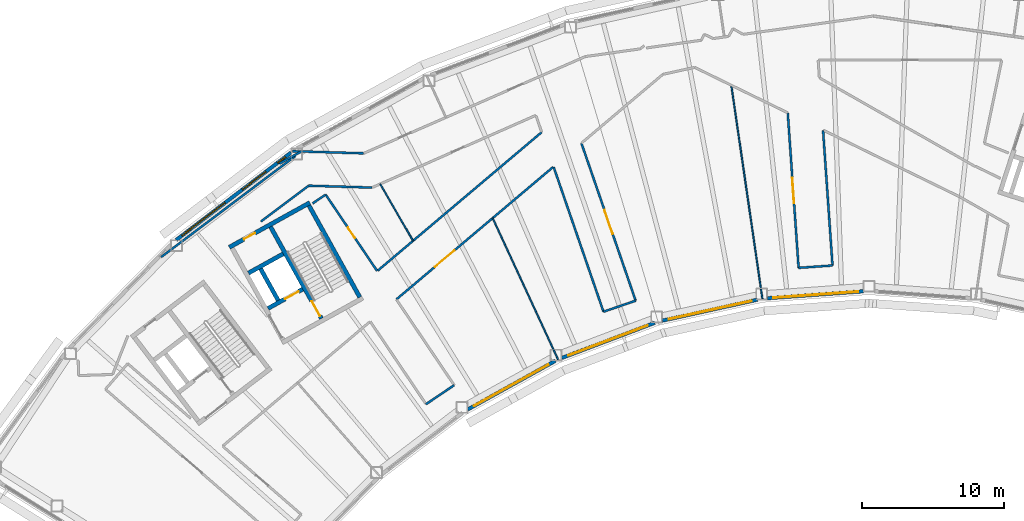
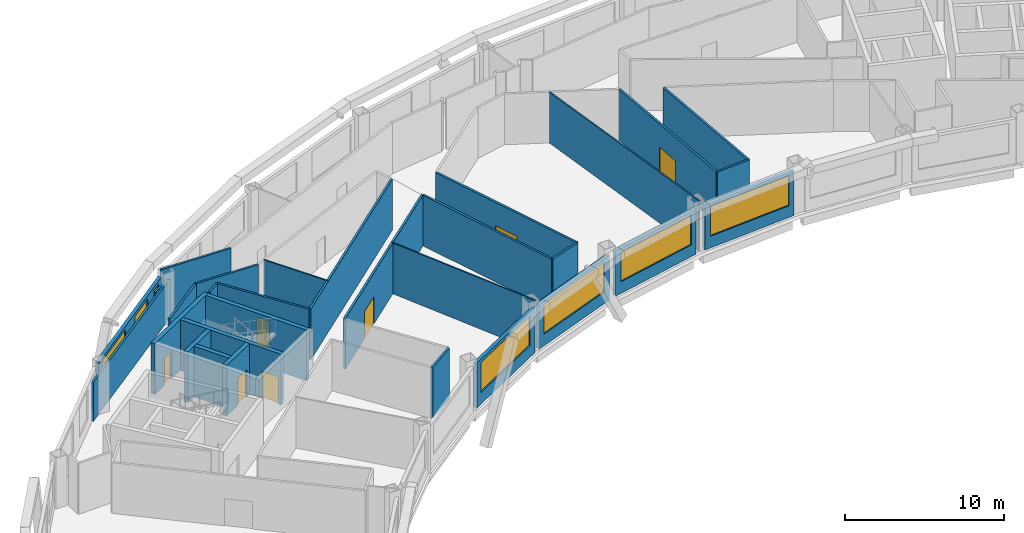
# One storey, part 6 of 16: 30 walls, 7 doors, 7 windows, 14 openings.
"""IFC4 building model written with IfcOpenShell, lengths in metres."""

import ifcopenshell
import ifcopenshell.guid

model = None  # the IFC model being written
_history = None  # IfcOwnerHistory: only IFC2X3 demands one
_inside = {}  # id of a spatial element -> (the spatial element, [elements in it])
_under = {}  # id of a project, library or spatial element -> (it, [spatial elements below it])
_declared = {}  # id of a project -> (the project, [libraries it declares])
_typed = {}  # id of a type object -> (the type object, [elements of that type])
_made_of = {}  # id of a material, layer set ... -> (it, [elements and type objects made of it])


def new_model(schema):
    """Start an empty IFC model of exactly this schema.

    Asked for "IFC4X3", IfcOpenShell would pick the latest addendum, in which some entities
    have other attributes; the version numbers below select the first issue.
    IFC2X3 requires an IfcOwnerHistory on every rooted entity: one is made here for all.
    """
    global model, _history
    if schema == "IFC4X3":
        model = ifcopenshell.file(schema_version=(4, 3, 0, 0))
    else:
        model = ifcopenshell.file(schema=schema)
    _inside.clear()
    _under.clear()
    _declared.clear()
    _typed.clear()
    _made_of.clear()
    _history = None
    if model.schema == "IFC2X3":
        org = make("IfcOrganization", Name="unknown")
        user = make(
            "IfcPersonAndOrganization",
            ThePerson=make("IfcPerson", FamilyName="unknown"),
            TheOrganization=org,
        )
        app = make(
            "IfcApplication",
            ApplicationDeveloper=org,
            Version="unknown",
            ApplicationFullName="unknown",
            ApplicationIdentifier="unknown",
        )
        _history = make(
            "IfcOwnerHistory",
            OwningUser=user,
            OwningApplication=app,
            ChangeAction="ADDED",
            CreationDate=0,
        )
    return model


def make(cls, **values):
    """One entity of the class cls with the attributes given. An attribute that is None is left unset."""
    return model.create_entity(
        cls, **{name: value for name, value in values.items() if value is not None}
    )


def rooted(cls, **values):
    """An entity with a GlobalId (a new one), such as an element, a storey or a relation."""
    return make(cls, GlobalId=ifcopenshell.guid.new(), OwnerHistory=_history, **values)


def si_unit(unit_type, name, prefix=None):
    """IfcSIUnit, for example si_unit("LENGTHUNIT", "METRE", prefix="MILLI")."""
    return make("IfcSIUnit", UnitType=unit_type, Prefix=prefix, Name=name)


def assignment(units):
    """IfcUnitAssignment: the units of a project."""
    return None if units is None else make("IfcUnitAssignment", Units=units)


def point(xyz):
    """IfcCartesianPoint."""
    return None if xyz is None else make("IfcCartesianPoint", Coordinates=xyz)


def direction(xyz):
    """IfcDirection."""
    return None if xyz is None else make("IfcDirection", DirectionRatios=xyz)


def frame(location, z_axis=None, x_axis=None):
    """IfcAxis2Placement3D, a coordinate frame: its origin and axes. An axis left out is left unset."""
    return make(
        "IfcAxis2Placement3D",
        Location=point(location),
        Axis=direction(z_axis),
        RefDirection=direction(x_axis),
    )


def frame_2d(location, x_axis=None):
    """IfcAxis2Placement2D, a coordinate frame in the plane: its origin and x axis."""
    return make(
        "IfcAxis2Placement2D", Location=point(location), RefDirection=direction(x_axis)
    )


def origin():
    """The frame at (0, 0, 0) with its axes left unset."""
    return frame((0.0, 0.0, 0.0))


def place(relative_to, where):
    """IfcLocalPlacement: puts the frame where relative to a parent placement (None: the world)."""
    return make(
        "IfcLocalPlacement", PlacementRelTo=relative_to, RelativePlacement=where
    )


def context(
    kind, dimensions, precision=None, world=None, true_north=None, identifier=None
):
    """IfcGeometricRepresentationContext, for example the 3D "Model" context."""
    return make(
        "IfcGeometricRepresentationContext",
        ContextIdentifier=identifier,
        ContextType=kind,
        CoordinateSpaceDimension=dimensions,
        Precision=precision,
        WorldCoordinateSystem=world,
        TrueNorth=true_north,
    )


def subcontext(parent, identifier, kind, view, scale=None):
    """IfcGeometricRepresentationSubContext, for example "Body" below "Model"."""
    return make(
        "IfcGeometricRepresentationSubContext",
        ContextIdentifier=identifier,
        ContextType=kind,
        ParentContext=parent,
        TargetScale=scale,
        TargetView=view,
    )


def project(units=None, contexts=None):
    """IfcProject with its units and contexts."""
    return rooted(
        "IfcProject",
        Name="project",
        RepresentationContexts=contexts,
        UnitsInContext=assignment(units),
    )


def spatial(cls, under=None, at=None, **own):
    """A site, building, storey or space (cls), placed at a placement, below another one or the project."""
    s = rooted(cls, ObjectPlacement=at, **own)
    if under is not None:
        _under.setdefault(under.id(), (under, []))[1].append(s)
    return s


def profile(cls, at=None, kind="AREA", **sizes):
    """A parametric profile (cls). Its sizes go by their IFC names, for example OverallWidth=200.0."""
    return make(cls, ProfileType=kind, Position=at, **sizes)


def rectangle(**sizes):
    """IfcRectangleProfileDef."""
    return profile("IfcRectangleProfileDef", **sizes)


def extrude(swept, where, along, depth):
    """IfcExtrudedAreaSolid: the profile swept, set in the frame where, extruded along a direction by depth."""
    return make(
        "IfcExtrudedAreaSolid",
        SweptArea=swept,
        Position=where,
        ExtrudedDirection=direction(along),
        Depth=depth,
    )


def shape(context_of_items, identifier, shape_type, items):
    """IfcShapeRepresentation: the items that make up one representation, for example the "Body"."""
    return make(
        "IfcShapeRepresentation",
        ContextOfItems=context_of_items,
        RepresentationIdentifier=identifier,
        RepresentationType=shape_type,
        Items=items,
    )


def material(Name=None, Category=None):
    """IfcMaterial."""
    return make("IfcMaterial", Name=Name, Category=Category)


def layer(
    of_material, thickness, ventilated=None, Name=None, Category=None, Priority=None
):
    """IfcMaterialLayer: one layer of a wall or slab, of a material (None: an air gap)."""
    return make(
        "IfcMaterialLayer",
        Material=of_material,
        LayerThickness=thickness,
        IsVentilated=ventilated,
        Name=Name,
        Category=Category,
        Priority=Priority,
    )


def layer_set(layers, Name=None):
    """IfcMaterialLayerSet."""
    return make("IfcMaterialLayerSet", MaterialLayers=layers, LayerSetName=Name)


def made_of(thing, what):
    """Note that an element or type object is made of a material, layer set ...; save() writes the relation."""
    if what is not None:
        _made_of.setdefault(what.id(), (what, []))[1].append(thing)
    return thing


def type_object(cls, material=None, **own):
    """A type object (cls), such as IfcWallType, which elements share."""
    return made_of(rooted(cls, **own), material)


def element(
    cls,
    number,
    at=None,
    inside=None,
    cuts=None,
    type_object=None,
    material=None,
    context=None,
    identifier="Body",
    shape_type=None,
    held_by="IfcProductDefinitionShape",
    body=None,
    shapes=None,
    **own,
):
    """One element of the class cls, such as IfcWall. Its Tag is "e" and its number.

    at: its placement. inside: the storey or other place that contains it. cuts: it is an
    opening in that element (IfcRelVoidsElement). A single representation is given by context,
    identifier, shape_type and body (its items); several are given by shapes. held_by: the class
    of the entity that holds the representations. save() writes the other relations.
    """
    e = rooted(cls, Tag="e%d" % number, ObjectPlacement=at, **own)
    if body is not None:
        shapes = [shape(context, identifier, shape_type, body)]
    if shapes is not None:
        e.Representation = make(held_by, Representations=shapes)
    if inside is not None:
        _inside.setdefault(inside.id(), (inside, []))[1].append(e)
    if cuts is not None:
        rooted(
            "IfcRelVoidsElement", RelatingBuildingElement=cuts, RelatedOpeningElement=e
        )
    if type_object is not None:
        _typed.setdefault(type_object.id(), (type_object, []))[1].append(e)
    return made_of(e, material)


def fill(opening, filler):
    """IfcRelFillsElement: the door or window that sits in an opening."""
    return rooted(
        "IfcRelFillsElement",
        RelatingOpeningElement=opening,
        RelatedBuildingElement=filler,
    )


def aggregate(whole, parts):
    """IfcRelAggregates: a whole, such as a stair, and the parts it consists of."""
    return rooted("IfcRelAggregates", RelatingObject=whole, RelatedObjects=parts)


def save(model, path):
    """Write the relations noted so far, then the file.

    IfcRelAggregates (storeys below a building ...), IfcRelContainedInSpatialStructure (elements
    in a storey), IfcRelDefinesByType, IfcRelAssociatesMaterial and IfcRelDeclares: one each for
    every whole, place, type object, material and project.
    """
    for whole, parts in _under.values():
        aggregate(whole, parts)
    for where, things in _inside.values():
        rooted(
            "IfcRelContainedInSpatialStructure",
            RelatedElements=things,
            RelatingStructure=where,
        )
    for kind, things in _typed.values():
        rooted("IfcRelDefinesByType", RelatedObjects=things, RelatingType=kind)
    for what, things in _made_of.values():
        rooted("IfcRelAssociatesMaterial", RelatedObjects=things, RelatingMaterial=what)
    for by, libraries in _declared.values():
        rooted("IfcRelDeclares", RelatingContext=by, RelatedDefinitions=libraries)
    model.write(path)


model = new_model("IFC4")

# Units and contexts
model_context = context("Model", 3, precision=1e-05, world=origin(), true_north=direction((0.0, 1.0)))
body_context = subcontext(model_context, "Body", "Model", "MODEL_VIEW")
ifc_project = project(units=[si_unit("LENGTHUNIT", "METRE"), si_unit("AREAUNIT", "SQUARE_METRE"), si_unit("VOLUMEUNIT", "CUBIC_METRE"), si_unit("PLANEANGLEUNIT", "RADIAN"), si_unit("MASSUNIT", "GRAM", prefix="KILO")], contexts=[model_context])

# Site, building, storey
site_placement = place(None, origin())
site = spatial("IfcSite", under=ifc_project, at=site_placement, CompositionType="ELEMENT")
building_placement = place(site_placement, origin())
building = spatial("IfcBuilding", under=site, at=building_placement, Name="Tuul Gate Civic Tower", CompositionType="ELEMENT")
storey_placement = place(building_placement, frame((0.0, 0.0, 261.0)))
storey = spatial("IfcBuildingStorey", under=building, at=storey_placement, Name="Level 59", CompositionType="ELEMENT", Elevation=261.0)

# Wall, opening, door
ifc_material_1 = material(Name="Concrete C50/60", Category="concrete")
ifc_layer_1 = layer(ifc_material_1, 0.300048828125)
ifc_layer_set_1 = layer_set([ifc_layer_1], Name="Concrete C50/60")
wall_type_1 = type_object("IfcWallType", Name="Core wall C50/60", PredefinedType="SHEAR", material=ifc_layer_set_1)
wall_1_placement = place(storey_placement, frame((-28.94580078125, -8.090087890625, 0.0), z_axis=(0.0, 0.0, 1.0), x_axis=(-0.874629840737, -0.484791338301, 0.0)))
wall_1 = element("IfcWall", 1, at=wall_1_placement, inside=storey, type_object=wall_type_1, Name="Core wall", PredefinedType="SHEAR", context=body_context, shape_type="SweptSolid", body=[
    extrude(rectangle(XDim=2.800048828125, YDim=0.300048828125, at=frame_2d((1.39990234375, 0.0))), origin(), (0.0, 0.0, 1.0), 3.89990234375),
])
opening_1_placement = place(wall_1_placement, frame((0.324951171875, 0.0, 0.0)))
opening_1 = element("IfcOpeningElement", 2, at=opening_1_placement, cuts=wall_1, Name="Opening LD-FF-1", PredefinedType="OPENING", context=body_context, shape_type="SweptSolid", body=[
    extrude(rectangle(XDim=1.10009765625, YDim=2.10009765625, at=frame_2d((0.550048828125, 1.050048828125))), frame((0.0, 0.16015625, 0.0), z_axis=(0.0, -1.0, 0.0), x_axis=(1.0, 0.0, 0.0)), (0.0, 0.0, 1.0), 0.320068359375),
])
ifc_material_2 = material(Name="Stainless steel", Category="steel")
door_type_1 = type_object("IfcDoorType", Name="Landing door", OperationType="DOUBLE_DOOR_SLIDING", PredefinedType="DOOR", material=ifc_material_2)
door_1_placement = place(opening_1_placement, origin())
door_1 = element("IfcDoor", 3, at=door_1_placement, inside=storey, type_object=door_type_1, Name="Fire-fighting lift FF-1 landing door", OperationType="DOUBLE_DOOR_SLIDING", OverallHeight=2.10009765625, OverallWidth=1.10009765625, PredefinedType="DOOR", context=body_context, shape_type="SweptSolid", body=[
    extrude(rectangle(XDim=1.10009765625, YDim=2.10009765625, at=frame_2d((0.550048828125, 1.050048828125))), frame((0.0, 0.02490234375, 0.0), z_axis=(0.0, -1.0, 0.0), x_axis=(1.0, 0.0, 0.0)), (0.0, 0.0, 1.0), 0.050048828125),
])
fill(opening_1, door_1)

# Wall
wall_2_placement = place(storey_placement, frame((-30.327392578125, -5.59716796875, 0.0), z_axis=(0.0, 0.0, 1.0), x_axis=(-0.874629840737, -0.484791338301, 0.0)))
element("IfcWall", 4, at=wall_2_placement, inside=storey, type_object=wall_type_1, Name="Core wall", PredefinedType="SHEAR", context=body_context, shape_type="SweptSolid", body=[
    extrude(rectangle(XDim=2.800048828125, YDim=0.300048828125, at=frame_2d((1.39990234375, 0.0))), origin(), (0.0, 0.0, 1.0), 3.89990234375),
])

# Wall, opening, door
wall_3_placement = place(storey_placement, frame((-28.4443359375, -1.98095703125, 0.0), z_axis=(0.0, 0.0, 1.0), x_axis=(-0.874629909008, -0.484791215132, 0.0)))
wall_3 = element("IfcWall", 5, at=wall_3_placement, inside=storey, type_object=wall_type_1, Name="Core wall", PredefinedType="SHEAR", context=body_context, shape_type="SweptSolid", body=[
    extrude(rectangle(XDim=6.5, YDim=0.300048828125, at=frame_2d((3.25, 0.0))), origin(), (0.0, 0.0, 1.0), 3.89990234375),
])
opening_2_placement = place(wall_3_placement, frame((4.425048828125, 0.0, 0.0)))
opening_2 = element("IfcOpeningElement", 6, at=opening_2_placement, cuts=wall_3, Name="Opening V-D27", PredefinedType="OPENING", context=body_context, shape_type="SweptSolid", body=[
    extrude(rectangle(XDim=0.89990234375, YDim=2.10009765625, at=frame_2d((0.449951171875, 1.050048828125))), frame((0.0, 0.16015625, 0.0), z_axis=(0.0, -1.0, 0.0), x_axis=(1.0, 0.0, 0.0)), (0.0, 0.0, 1.0), 0.320068359375),
])
ifc_material_3 = material(Name="Timber door leaf", Category="wood")
door_type_2 = type_object("IfcDoorType", Name="Door D09", OperationType="NOTDEFINED", PredefinedType="DOOR", material=ifc_material_3)
door_2_placement = place(opening_2_placement, origin())
door_2 = element("IfcDoor", 7, at=door_2_placement, inside=storey, type_object=door_type_2, Name="Door V-D27", OperationType="SINGLE_SWING_LEFT", OverallHeight=2.10009765625, OverallWidth=0.89990234375, PredefinedType="DOOR", context=body_context, shape_type="SweptSolid", body=[
    extrude(rectangle(XDim=0.89990234375, YDim=2.10009765625, at=frame_2d((0.449951171875, 1.050048828125))), frame((0.0, 0.02490234375, 0.0), z_axis=(0.0, -1.0, 0.0), x_axis=(1.0, 0.0, 0.0)), (0.0, 0.0, 1.0), 0.050048828125),
])
fill(opening_2, door_2)

# Wall
wall_4_placement = place(storey_placement, frame((-24.91552734375, -8.6572265625, 0.0), z_axis=(0.0, 0.0, 1.0), x_axis=(-0.484777133038, 0.874637714304, 0.0)))
element("IfcWall", 8, at=wall_4_placement, inside=storey, type_object=wall_type_1, Name="Core wall", PredefinedType="SHEAR", context=body_context, shape_type="SweptSolid", body=[
    extrude(rectangle(XDim=7.400146484375, YDim=0.300048828125, at=frame_2d((3.7001953125, 0.0))), origin(), (0.0, 0.0, 1.0), 3.89990234375),
])

# Wall, opening, door
wall_5_placement = place(storey_placement, frame((-27.626953125, -10.16015625, 0.0), z_axis=(0.0, 0.0, 1.0), x_axis=(-0.484751894226, 0.874651702704, 0.0)))
wall_5 = element("IfcWall", 9, at=wall_5_placement, inside=storey, type_object=wall_type_1, Name="Core wall", PredefinedType="SHEAR", context=body_context, shape_type="SweptSolid", body=[
    extrude(rectangle(XDim=7.39990234375, YDim=0.300048828125, at=frame_2d((3.699951171875, 0.0))), origin(), (0.0, 0.0, 1.0), 3.89990234375),
])
opening_3_placement = place(wall_5_placement, frame((0.199951171875, 0.0, 0.0)))
opening_3 = element("IfcOpeningElement", 10, at=opening_3_placement, cuts=wall_5, Name="Opening SD-ST-2", PredefinedType="OPENING", context=body_context, shape_type="SweptSolid", body=[
    extrude(rectangle(XDim=1.199951171875, YDim=2.10009765625, at=frame_2d((0.60009765625, 1.050048828125))), frame((0.0, 0.16015625, 0.0), z_axis=(0.0, -1.0, 0.0), x_axis=(1.0, 0.0, 0.0)), (0.0, 0.0, 1.0), 0.320068359375),
])
ifc_material_4 = material(Name="Steel", Category="steel")
door_type_3 = type_object("IfcDoorType", Name="Stair door", OperationType="NOTDEFINED", PredefinedType="DOOR", material=ifc_material_4)
door_3_placement = place(opening_3_placement, origin())
door_3 = element("IfcDoor", 11, at=door_3_placement, inside=storey, type_object=door_type_3, Name="Stair door ST-2", OperationType="SINGLE_SWING_LEFT", OverallHeight=2.10009765625, OverallWidth=1.199951171875, PredefinedType="DOOR", context=body_context, shape_type="SweptSolid", body=[
    extrude(rectangle(XDim=1.199951171875, YDim=2.10009765625, at=frame_2d((0.60009765625, 1.050048828125))), frame((0.0, 0.02490234375, 0.0), z_axis=(0.0, -1.0, 0.0), x_axis=(1.0, 0.0, 0.0)), (0.0, 0.0, 1.0), 0.050048828125),
])
fill(opening_3, door_3)

# Walls
wall_6_placement = place(storey_placement, frame((-30.680419921875, -8.8798828125, 0.0), z_axis=(0.0, 0.0, 1.0), x_axis=(-0.484724115216, 0.874667097888, 0.0)))
element("IfcWall", 12, at=wall_6_placement, inside=storey, type_object=wall_type_1, Name="Core wall", PredefinedType="SHEAR", context=body_context, shape_type="SweptSolid", body=[
    extrude(rectangle(XDim=2.550048828125, YDim=0.300048828125, at=frame_2d((1.27490234375, 0.0))), origin(), (0.0, 0.0, 1.0), 3.89990234375),
])
ifc_material_5 = material(Name="Gypsum board partition")
ifc_layer_2 = layer(ifc_material_5, 0.14990234375)
ifc_layer_set_2 = layer_set([ifc_layer_2], Name="Gypsum board partition")
wall_type_2 = type_object("IfcWallType", Name="Corridor wall P150", PredefinedType="PARTITIONING", material=ifc_layer_set_2)
wall_7_placement = place(storey_placement, frame((-23.667724609375, -6.7958984375, 0.0), z_axis=(0.0, 0.0, 1.0), x_axis=(0.76403891286, 0.645170163317, 0.0)))
element("IfcWall", 13, at=wall_7_placement, inside=storey, type_object=wall_type_2, Name="p031", PredefinedType="PARTITIONING", context=body_context, shape_type="SweptSolid", body=[
    extrude(rectangle(XDim=15.15966796875, YDim=0.14990234375, at=frame_2d((7.579833984375, 0.0))), origin(), (0.0, 0.0, 1.0), 3.89990234375),
])
wall_8_placement = place(storey_placement, frame((-29.652587890625, 1.65185546875, 0.0), z_axis=(0.0, 0.0, 1.0), x_axis=(0.999549719326, -0.03000597598, 0.0)))
element("IfcWall", 14, at=wall_8_placement, inside=storey, type_object=wall_type_2, Name="p034", PredefinedType="PARTITIONING", context=body_context, shape_type="SweptSolid", body=[
    extrude(rectangle(XDim=5.011962890625, YDim=0.14990234375, at=frame_2d((2.505859375, 0.0))), origin(), (0.0, 0.0, 1.0), 3.89990234375),
])

# Wall, opening, door
wall_9_placement = place(storey_placement, frame((5.298583984375, 4.349365234375, 0.0), z_axis=(0.0, 0.0, 1.0), x_axis=(0.06974622138, -0.997564767122, 0.0)))
wall_9 = element("IfcWall", 15, at=wall_9_placement, inside=storey, type_object=wall_type_2, Name="p065", PredefinedType="PARTITIONING", context=body_context, shape_type="SweptSolid", body=[
    extrude(rectangle(XDim=10.959716796875, YDim=0.14990234375, at=frame_2d((5.47998046875, 0.0))), origin(), (0.0, 0.0, 1.0), 3.89990234375),
])
opening_4_placement = place(wall_9_placement, frame((4.579833984375, 0.0, 0.0)))
opening_4 = element("IfcOpeningElement", 16, at=opening_4_placement, cuts=wall_9, Name="Opening V-D12", PredefinedType="OPENING", context=body_context, shape_type="SweptSolid", body=[
    extrude(rectangle(XDim=1.800048828125, YDim=2.10009765625, at=frame_2d((0.89990234375, 1.050048828125))), frame((0.0, 0.0849609375, 0.0), z_axis=(0.0, -1.0, 0.0), x_axis=(1.0, 0.0, 0.0)), (0.0, 0.0, 1.0), 0.169921875),
])
ifc_material_6 = material(Name="Timber door leaf, double", Category="wood")
door_type_4 = type_object("IfcDoorType", Name="Door D18", OperationType="DOUBLE_DOOR_SINGLE_SWING", PredefinedType="DOOR", material=ifc_material_6)
door_4_placement = place(opening_4_placement, frame((1.800048828125, 0.0, 0.0), z_axis=(0.0, 0.0, 1.0), x_axis=(-1.0, 0.0, 0.0)))
door_4 = element("IfcDoor", 17, at=door_4_placement, inside=storey, type_object=door_type_4, Name="Door V-D12", OperationType="DOUBLE_DOOR_SINGLE_SWING", OverallHeight=2.10009765625, OverallWidth=1.800048828125, PredefinedType="DOOR", context=body_context, shape_type="SweptSolid", body=[
    extrude(rectangle(XDim=1.800048828125, YDim=2.10009765625, at=frame_2d((0.900146484375, 1.050048828125))), frame((0.0, 0.02490234375, 0.0), z_axis=(0.0, -1.0, 0.0), x_axis=(1.0, 0.0, 0.0)), (0.0, 0.0, 1.0), 0.050048828125),
])
fill(opening_4, door_4)

# Walls
wall_10_placement = place(storey_placement, frame((6.063720703125, -6.583984375, 0.0), z_axis=(0.0, 0.0, 1.0), x_axis=(0.997567042248, 0.069713673122, 0.0)))
element("IfcWall", 18, at=wall_10_placement, inside=storey, type_object=wall_type_2, Name="p066", PredefinedType="PARTITIONING", context=body_context, shape_type="SweptSolid", body=[
    extrude(rectangle(XDim=2.39892578125, YDim=0.14990234375, at=frame_2d((1.199462890625, 0.0))), origin(), (0.0, 0.0, 1.0), 3.89990234375),
])
wall_11_placement = place(storey_placement, frame((7.791015625, 3.109619140625, 0.0), z_axis=(0.0, 0.0, 1.0), x_axis=(0.069771628501, -0.99756299042, 0.0)))
element("IfcWall", 19, at=wall_11_placement, inside=storey, type_object=wall_type_2, Name="p068", PredefinedType="PARTITIONING", context=body_context, shape_type="SweptSolid", body=[
    extrude(rectangle(XDim=9.549072265625, YDim=0.14990234375, at=frame_2d((4.7744140625, 0.0))), origin(), (0.0, 0.0, 1.0), 3.89990234375),
])

# Wall, opening, door
wall_12_placement = place(storey_placement, frame((-22.321044921875, -8.800048828125, 0.0), z_axis=(0.0, 0.0, 1.0), x_axis=(0.764036380791, 0.645173161894, 0.0)))
wall_12 = element("IfcWall", 20, at=wall_12_placement, inside=storey, type_object=wall_type_2, Name="p070", PredefinedType="PARTITIONING", context=body_context, shape_type="SweptSolid", body=[
    extrude(rectangle(XDim=14.478271484375, YDim=0.14990234375, at=frame_2d((7.2392578125, 0.0))), origin(), (0.0, 0.0, 1.0), 3.89990234375),
])
opening_5_placement = place(wall_12_placement, frame((3.53857421875, 0.0, 0.0)))
opening_5 = element("IfcOpeningElement", 21, at=opening_5_placement, cuts=wall_12, Name="Opening V-D14", PredefinedType="OPENING", context=body_context, shape_type="SweptSolid", body=[
    extrude(rectangle(XDim=1.800048828125, YDim=2.10009765625, at=frame_2d((0.89990234375, 1.050048828125))), frame((0.0, 0.0849609375, 0.0), z_axis=(0.0, -1.0, 0.0), x_axis=(1.0, 0.0, 0.0)), (0.0, 0.0, 1.0), 0.169921875),
])
door_5_placement = place(opening_5_placement, frame((1.800048828125, 0.0, 0.0), z_axis=(0.0, 0.0, 1.0), x_axis=(-1.0, 0.0, 0.0)))
door_5 = element("IfcDoor", 22, at=door_5_placement, inside=storey, type_object=door_type_4, Name="Door V-D14", OperationType="DOUBLE_DOOR_SINGLE_SWING", OverallHeight=2.10009765625, OverallWidth=1.800048828125, PredefinedType="DOOR", context=body_context, shape_type="SweptSolid", body=[
    extrude(rectangle(XDim=1.800048828125, YDim=2.10009765625, at=frame_2d((0.900146484375, 1.050048828125))), frame((0.0, 0.02490234375, 0.0), z_axis=(0.0, -1.0, 0.0), x_axis=(1.0, 0.0, 0.0)), (0.0, 0.0, 1.0), 0.050048828125),
])
fill(opening_5, door_5)

# Walls
wall_13_placement = place(storey_placement, frame((-11.227294921875, 0.5322265625, 0.0), z_axis=(0.0, 0.0, 1.0), x_axis=(0.325569251577, -0.94551819783, 0.0)))
element("IfcWall", 23, at=wall_13_placement, inside=storey, type_object=wall_type_2, Name="p073", PredefinedType="PARTITIONING", context=body_context, shape_type="SweptSolid", body=[
    extrude(rectangle(XDim=10.80224609375, YDim=0.14990234375, at=frame_2d((5.401123046875, 0.0))), origin(), (0.0, 0.0, 1.0), 3.89990234375),
])
wall_14_placement = place(storey_placement, frame((-7.709716796875, -9.681640625, 0.0), z_axis=(0.0, 0.0, 1.0), x_axis=(0.945523207391, 0.325554702448, 0.0)))
element("IfcWall", 24, at=wall_14_placement, inside=storey, type_object=wall_type_2, Name="p074", PredefinedType="PARTITIONING", context=body_context, shape_type="SweptSolid", body=[
    extrude(rectangle(XDim=2.39892578125, YDim=0.14990234375, at=frame_2d((1.199462890625, 0.0))), origin(), (0.0, 0.0, 1.0), 3.89990234375),
])

# Wall, opening, door
wall_15_placement = place(storey_placement, frame((-9.265869140625, 2.20751953125, 0.0), z_axis=(0.0, 0.0, 1.0), x_axis=(0.325576903669, -0.945515562959, 0.0)))
wall_15 = element("IfcWall", 25, at=wall_15_placement, inside=storey, type_object=wall_type_2, Name="p075", PredefinedType="PARTITIONING", context=body_context, shape_type="SweptSolid", body=[
    extrude(rectangle(XDim=11.74755859375, YDim=0.14990234375, at=frame_2d((5.873779296875, 0.0))), origin(), (0.0, 0.0, 1.0), 3.89990234375),
])
opening_6_placement = place(wall_15_placement, frame((4.9736328125, 0.0, 0.0)))
opening_6 = element("IfcOpeningElement", 26, at=opening_6_placement, cuts=wall_15, Name="Opening V-D13", PredefinedType="OPENING", context=body_context, shape_type="SweptSolid", body=[
    extrude(rectangle(XDim=1.800048828125, YDim=2.10009765625, at=frame_2d((0.89990234375, 1.050048828125))), frame((0.0, 0.0849609375, 0.0), z_axis=(0.0, -1.0, 0.0), x_axis=(1.0, 0.0, 0.0)), (0.0, 0.0, 1.0), 0.169921875),
])
door_6_placement = place(opening_6_placement, origin())
door_6 = element("IfcDoor", 27, at=door_6_placement, inside=storey, type_object=door_type_4, Name="Door V-D13", OperationType="DOUBLE_DOOR_SINGLE_SWING", OverallHeight=2.10009765625, OverallWidth=1.800048828125, PredefinedType="DOOR", context=body_context, shape_type="SweptSolid", body=[
    extrude(rectangle(XDim=1.800048828125, YDim=2.10009765625, at=frame_2d((0.89990234375, 1.050048828125))), frame((0.0, 0.02490234375, 0.0), z_axis=(0.0, -1.0, 0.0), x_axis=(1.0, 0.0, 0.0)), (0.0, 0.0, 1.0), 0.050048828125),
])
fill(opening_6, door_6)

# Wall
wall_16_placement = place(storey_placement, frame((-20.24072265625, -16.20751953125, 0.0), z_axis=(0.0, 0.0, 1.0), x_axis=(0.829047992884, 0.559177454388, 0.0)))
element("IfcWall", 28, at=wall_16_placement, inside=storey, type_object=wall_type_2, Name="p079", PredefinedType="PARTITIONING", context=body_context, shape_type="SweptSolid", body=[
    extrude(rectangle(XDim=2.399169921875, YDim=0.14990234375, at=frame_2d((1.19970703125, 0.0))), origin(), (0.0, 0.0, 1.0), 3.89990234375),
])

# Wall, opening, door
wall_17_placement = place(storey_placement, frame((-27.324951171875, -1.41357421875, 0.0), z_axis=(0.0, 0.0, 1.0), x_axis=(0.559181972212, -0.829044945678, 0.0)))
wall_17 = element("IfcWall", 29, at=wall_17_placement, inside=storey, type_object=wall_type_2, Name="p080", PredefinedType="PARTITIONING", context=body_context, shape_type="SweptSolid", body=[
    extrude(rectangle(XDim=6.487548828125, YDim=0.14990234375, at=frame_2d((3.24365234375, 0.0))), origin(), (0.0, 0.0, 1.0), 3.89990234375),
])
opening_7_placement = place(wall_17_placement, frame((2.793701171875, 0.0, 0.0)))
opening_7 = element("IfcOpeningElement", 30, at=opening_7_placement, cuts=wall_17, Name="Opening V-D23", PredefinedType="OPENING", context=body_context, shape_type="SweptSolid", body=[
    extrude(rectangle(XDim=0.89990234375, YDim=2.10009765625, at=frame_2d((0.449951171875, 1.050048828125))), frame((0.0, 0.0849609375, 0.0), z_axis=(0.0, -1.0, 0.0), x_axis=(1.0, 0.0, 0.0)), (0.0, 0.0, 1.0), 0.169921875),
])
door_7_placement = place(opening_7_placement, frame((0.89990234375, 0.0, 0.0), z_axis=(0.0, 0.0, 1.0), x_axis=(-1.0, 0.0, 0.0)))
door_7 = element("IfcDoor", 31, at=door_7_placement, inside=storey, type_object=door_type_2, Name="Door V-D23", OperationType="SINGLE_SWING_LEFT", OverallHeight=2.10009765625, OverallWidth=0.89990234375, PredefinedType="DOOR", context=body_context, shape_type="SweptSolid", body=[
    extrude(rectangle(XDim=0.89990234375, YDim=2.10009765625, at=frame_2d((0.449951171875, 1.050048828125))), frame((0.0, 0.02490234375, 0.0), z_axis=(0.0, -1.0, 0.0), x_axis=(1.0, 0.0, 0.0)), (0.0, 0.0, 1.0), 0.050048828125),
])
fill(opening_7, door_7)

# Walls
wall_18_placement = place(storey_placement, frame((-31.898193359375, -3.31201171875, 0.0), z_axis=(0.0, 0.0, 1.0), x_axis=(0.799804939992, 0.600259991974, 0.0)))
element("IfcWall", 32, at=wall_18_placement, inside=storey, type_object=wall_type_2, Name="p100", PredefinedType="PARTITIONING", context=body_context, shape_type="SweptSolid", body=[
    extrude(rectangle(XDim=4.206298828125, YDim=0.14990234375, at=frame_2d((2.10302734375, 0.0))), origin(), (0.0, 0.0, 1.0), 3.89990234375),
])
wall_19_placement = place(storey_placement, frame((-28.521240234375, -0.783203125, 0.0), z_axis=(0.0, 0.0, 1.0), x_axis=(0.999549762781, -0.030004528392, 0.0)))
element("IfcWall", 33, at=wall_19_placement, inside=storey, type_object=wall_type_2, Name="p101", PredefinedType="PARTITIONING", context=body_context, shape_type="SweptSolid", body=[
    extrude(rectangle(XDim=4.467041015625, YDim=0.14990234375, at=frame_2d((2.2333984375, 0.0))), origin(), (0.0, 0.0, 1.0), 3.89990234375),
])
wall_20_placement = place(storey_placement, frame((-28.24365234375, -2.03271484375, 0.0), z_axis=(0.0, 0.0, 1.0), x_axis=(0.828950894208, 0.559321387927, 0.0)))
element("IfcWall", 34, at=wall_20_placement, inside=storey, type_object=wall_type_2, Name="p102", PredefinedType="PARTITIONING", context=body_context, shape_type="SweptSolid", body=[
    extrude(rectangle(XDim=1.107421875, YDim=0.14990234375, at=frame_2d((0.5537109375, 0.0))), origin(), (0.0, 0.0, 1.0), 3.89990234375),
])
ifc_material_7 = material(Name="Gypsum board partition")
ifc_layer_3 = layer(ifc_material_7, 0.14990234375)
ifc_layer_set_3 = layer_set([ifc_layer_3], Name="Gypsum board partition")
wall_type_3 = type_object("IfcWallType", Name="Corridor wall P150 3000 HIGH", PredefinedType="PARTITIONING", material=ifc_layer_set_3)
wall_21_placement = place(storey_placement, frame((-38.935546875, -5.822021484375, 0.0), z_axis=(0.0, 0.0, 1.0), x_axis=(0.798619297232, 0.601836537682, 0.0)))
element("IfcWall", 35, at=wall_21_placement, inside=storey, type_object=wall_type_3, Name="p035", PredefinedType="PARTITIONING", context=body_context, shape_type="SweptSolid", body=[
    extrude(rectangle(XDim=11.858154296875, YDim=0.14990234375, at=frame_2d((5.92919921875, 0.0))), origin(), (0.0, 0.0, 1.0), 3.0),
])
wall_22_placement = place(storey_placement, frame((-30.58740234375, 0.777099609375, 0.0), z_axis=(0.0, 0.0, 1.0), x_axis=(0.874598545717, 0.484847794498, 0.0)))
element("IfcWall", 36, at=wall_22_placement, inside=storey, type_object=wall_type_3, Name="p037", PredefinedType="PARTITIONING", context=body_context, shape_type="SweptSolid", body=[
    extrude(rectangle(XDim=1.825439453125, YDim=0.14990234375, at=frame_2d((0.91259765625, 0.0))), origin(), (0.0, 0.0, 1.0), 3.0),
])

# Wall, openings, windows
ifc_material_8 = material(Name="Precast concrete C40/50", Category="concrete")
ifc_layer_4 = layer(ifc_material_8, 0.25)
ifc_layer_set_4 = layer_set([ifc_layer_4], Name="Precast concrete C40/50")
wall_type_4 = type_object("IfcWallType", Name="External wall", PredefinedType="STANDARD", material=ifc_layer_set_4)
wall_23_placement = place(storey_placement, frame((-29.77099609375, 1.555419921875, 0.0), z_axis=(0.0, 0.0, 1.0), x_axis=(-0.795654969417, -0.605750088437, 0.0)))
wall_23 = element("IfcWall", 37, at=wall_23_placement, inside=storey, type_object=wall_type_4, Name="External wall", PredefinedType="STANDARD", context=body_context, shape_type="SweptSolid", body=[
    extrude(rectangle(XDim=10.189697265625, YDim=0.25, at=frame_2d((5.0947265625, 0.0))), origin(), (0.0, 0.0, 1.0), 3.449951171875),
])
opening_8_placement = place(wall_23_placement, frame((5.843994140625, 0.0, 0.89990234375)))
opening_8 = element("IfcOpeningElement", 38, at=opening_8_placement, cuts=wall_23, Name="Opening W22", PredefinedType="OPENING", context=body_context, shape_type="SweptSolid", body=[
    extrude(rectangle(XDim=3.85009765625, YDim=2.300048828125, at=frame_2d((1.925048828125, 1.14990234375))), frame((0.0, 0.135009765625, 0.0), z_axis=(0.0, -1.0, 0.0), x_axis=(1.0, 0.0, 0.0)), (0.0, 0.0, 1.0), 0.27001953125),
])
opening_9_placement = place(wall_23_placement, frame((0.507080078125, 0.0, 0.89990234375)))
opening_9 = element("IfcOpeningElement", 39, at=opening_9_placement, cuts=wall_23, Name="Opening W70", PredefinedType="OPENING", context=body_context, shape_type="SweptSolid", body=[
    extrude(rectangle(XDim=0.699951171875, YDim=2.300048828125, at=frame_2d((0.35009765625, 1.14990234375))), frame((0.0, 0.135009765625, 0.0), z_axis=(0.0, -1.0, 0.0), x_axis=(1.0, 0.0, 0.0)), (0.0, 0.0, 1.0), 0.27001953125),
])
opening_10_placement = place(wall_23_placement, frame((2.217529296875, 0.0, 0.89990234375)))
opening_10 = element("IfcOpeningElement", 40, at=opening_10_placement, cuts=wall_23, Name="Opening W40", PredefinedType="OPENING", context=body_context, shape_type="SweptSolid", body=[
    extrude(rectangle(XDim=2.10009765625, YDim=2.300048828125, at=frame_2d((1.050048828125, 1.14990234375))), frame((0.0, 0.135009765625, 0.0), z_axis=(0.0, -1.0, 0.0), x_axis=(1.0, 0.0, 0.0)), (0.0, 0.0, 1.0), 0.27001953125),
])
ifc_material_9 = material(Name="Glass", Category="glass")
window_type_1 = type_object("IfcWindowType", Name="Window 2100 x 2300", PartitioningType="SINGLE_PANEL", PredefinedType="WINDOW", material=ifc_material_9)
window_1_placement = place(opening_10_placement, origin())
window_1 = element("IfcWindow", 41, at=window_1_placement, inside=storey, type_object=window_type_1, Name="Window", OverallHeight=2.300048828125, OverallWidth=2.10009765625, PartitioningType="SINGLE_PANEL", PredefinedType="WINDOW", context=body_context, shape_type="SweptSolid", body=[
    extrude(rectangle(XDim=2.10009765625, YDim=2.300048828125, at=frame_2d((1.050048828125, 1.14990234375))), frame((0.0, 0.030029296875, 0.0), z_axis=(0.0, -1.0, 0.0), x_axis=(1.0, 0.0, 0.0)), (0.0, 0.0, 1.0), 0.06005859375),
])
fill(opening_10, window_1)
ifc_material_10 = material(Name="Glass", Category="glass")
window_type_2 = type_object("IfcWindowType", Name="Window 700 x 2300", PartitioningType="SINGLE_PANEL", PredefinedType="WINDOW", material=ifc_material_10)
window_2_placement = place(opening_9_placement, origin())
window_2 = element("IfcWindow", 42, at=window_2_placement, inside=storey, type_object=window_type_2, Name="Window", OverallHeight=2.300048828125, OverallWidth=0.699951171875, PartitioningType="SINGLE_PANEL", PredefinedType="WINDOW", context=body_context, shape_type="SweptSolid", body=[
    extrude(rectangle(XDim=0.699951171875, YDim=2.300048828125, at=frame_2d((0.35009765625, 1.14990234375))), frame((0.0, 0.030029296875, 0.0), z_axis=(0.0, -1.0, 0.0), x_axis=(1.0, 0.0, 0.0)), (0.0, 0.0, 1.0), 0.06005859375),
])
fill(opening_9, window_2)
ifc_material_11 = material(Name="Glass", Category="glass")
window_type_3 = type_object("IfcWindowType", Name="Window W22 3850 x 2300", PartitioningType="SINGLE_PANEL", PredefinedType="WINDOW", material=ifc_material_11)
window_3_placement = place(opening_8_placement, origin())
window_3 = element("IfcWindow", 43, at=window_3_placement, inside=storey, type_object=window_type_3, Name="Window", OverallHeight=2.300048828125, OverallWidth=3.85009765625, PartitioningType="SINGLE_PANEL", PredefinedType="WINDOW", context=body_context, shape_type="SweptSolid", body=[
    extrude(rectangle(XDim=3.85009765625, YDim=2.300048828125, at=frame_2d((1.925048828125, 1.14990234375))), frame((0.0, 0.030029296875, 0.0), z_axis=(0.0, -1.0, 0.0), x_axis=(1.0, 0.0, 0.0)), (0.0, 0.0, 1.0), 0.06005859375),
])
fill(opening_8, window_3)

# Wall, opening, window
wall_24_placement = place(storey_placement, frame((-17.2958984375, -16.580322265625, 0.0), z_axis=(0.0, 0.0, 1.0), x_axis=(0.87461248151, 0.484822655398, 0.0)))
wall_24 = element("IfcWall", 44, at=wall_24_placement, inside=storey, type_object=wall_type_4, Name="External wall", PredefinedType="STANDARD", context=body_context, shape_type="SweptSolid", body=[
    extrude(rectangle(XDim=7.07763671875, YDim=0.25, at=frame_2d((3.538818359375, 0.0))), origin(), (0.0, 0.0, 1.0), 3.449951171875),
])
opening_11_placement = place(wall_24_placement, frame((0.51904296875, 0.0, 0.89990234375)))
opening_11 = element("IfcOpeningElement", 45, at=opening_11_placement, cuts=wall_24, Name="Opening W26", PredefinedType="OPENING", context=body_context, shape_type="SweptSolid", body=[
    extrude(rectangle(XDim=6.0, YDim=2.300048828125, at=frame_2d((3.0, 1.14990234375))), frame((0.0, 0.135009765625, 0.0), z_axis=(0.0, -1.0, 0.0), x_axis=(1.0, 0.0, 0.0)), (0.0, 0.0, 1.0), 0.27001953125),
])
ifc_material_12 = material(Name="Glass", Category="glass")
window_type_4 = type_object("IfcWindowType", Name="Window W26 6000 x 2300", PartitioningType="SINGLE_PANEL", PredefinedType="WINDOW", material=ifc_material_12)
window_4_placement = place(opening_11_placement, origin())
window_4 = element("IfcWindow", 46, at=window_4_placement, inside=storey, type_object=window_type_4, Name="Window", OverallHeight=2.300048828125, OverallWidth=6.0, PartitioningType="SINGLE_PANEL", PredefinedType="WINDOW", context=body_context, shape_type="SweptSolid", body=[
    extrude(rectangle(XDim=6.0, YDim=2.300048828125, at=frame_2d((3.0, 1.14990234375))), frame((0.0, 0.030029296875, 0.0), z_axis=(0.0, -1.0, 0.0), x_axis=(1.0, 0.0, 0.0)), (0.0, 0.0, 1.0), 0.06005859375),
])
fill(opening_11, window_4)

wall_25_placement = place(storey_placement, frame((-10.656005859375, -12.94580078125, 0.0), z_axis=(0.0, 0.0, 1.0), x_axis=(0.935331393711, 0.353772785752, 0.0)))
wall_25 = element("IfcWall", 47, at=wall_25_placement, inside=storey, type_object=wall_type_4, Name="External wall", PredefinedType="STANDARD", context=body_context, shape_type="SweptSolid", body=[
    extrude(rectangle(XDim=7.014892578125, YDim=0.25, at=frame_2d((3.50732421875, 0.0))), origin(), (0.0, 0.0, 1.0), 3.449951171875),
])
opening_12_placement = place(wall_25_placement, frame((0.49169921875, 0.0, 0.89990234375)))
opening_12 = element("IfcOpeningElement", 48, at=opening_12_placement, cuts=wall_25, Name="Opening W26", PredefinedType="OPENING", context=body_context, shape_type="SweptSolid", body=[
    extrude(rectangle(XDim=6.0, YDim=2.300048828125, at=frame_2d((3.0, 1.14990234375))), frame((0.0, 0.135009765625, 0.0), z_axis=(0.0, -1.0, 0.0), x_axis=(1.0, 0.0, 0.0)), (0.0, 0.0, 1.0), 0.27001953125),
])
window_5_placement = place(opening_12_placement, origin())
window_5 = element("IfcWindow", 49, at=window_5_placement, inside=storey, type_object=window_type_4, Name="Window", OverallHeight=2.300048828125, OverallWidth=6.0, PartitioningType="SINGLE_PANEL", PredefinedType="WINDOW", context=body_context, shape_type="SweptSolid", body=[
    extrude(rectangle(XDim=6.0, YDim=2.300048828125, at=frame_2d((3.0, 1.14990234375))), frame((0.0, 0.030029296875, 0.0), z_axis=(0.0, -1.0, 0.0), x_axis=(1.0, 0.0, 0.0)), (0.0, 0.0, 1.0), 0.06005859375),
])
fill(opening_12, window_5)

wall_26_placement = place(storey_placement, frame((-3.554931640625, -10.308349609375, 0.0), z_axis=(0.0, 0.0, 1.0), x_axis=(0.976589118116, 0.215113212929, 0.0)))
wall_26 = element("IfcWall", 50, at=wall_26_placement, inside=storey, type_object=wall_type_4, Name="External wall", PredefinedType="STANDARD", context=body_context, shape_type="SweptSolid", body=[
    extrude(rectangle(XDim=6.8720703125, YDim=0.25, at=frame_2d((3.43603515625, 0.0))), origin(), (0.0, 0.0, 1.0), 3.449951171875),
])
opening_13_placement = place(wall_26_placement, frame((0.4580078125, 0.0, 0.89990234375)))
opening_13 = element("IfcOpeningElement", 51, at=opening_13_placement, cuts=wall_26, Name="Opening W26", PredefinedType="OPENING", context=body_context, shape_type="SweptSolid", body=[
    extrude(rectangle(XDim=6.0, YDim=2.300048828125, at=frame_2d((3.0, 1.14990234375))), frame((0.0, 0.135009765625, 0.0), z_axis=(0.0, -1.0, 0.0), x_axis=(1.0, 0.0, 0.0)), (0.0, 0.0, 1.0), 0.27001953125),
])
window_6_placement = place(opening_13_placement, origin())
window_6 = element("IfcWindow", 52, at=window_6_placement, inside=storey, type_object=window_type_4, Name="Window", OverallHeight=2.300048828125, OverallWidth=6.0, PartitioningType="SINGLE_PANEL", PredefinedType="WINDOW", context=body_context, shape_type="SweptSolid", body=[
    extrude(rectangle(XDim=6.0, YDim=2.300048828125, at=frame_2d((3.0, 1.14990234375))), frame((0.0, 0.030029296875, 0.0), z_axis=(0.0, -1.0, 0.0), x_axis=(1.0, 0.0, 0.0)), (0.0, 0.0, 1.0), 0.06005859375),
])
fill(opening_13, window_6)

wall_27_placement = place(storey_placement, frame((3.85888671875, -8.727294921875, 0.0), z_axis=(0.0, 0.0, 1.0), x_axis=(0.997384983798, 0.072271668677, 0.0)))
wall_27 = element("IfcWall", 53, at=wall_27_placement, inside=storey, type_object=wall_type_4, Name="External wall", PredefinedType="STANDARD", context=body_context, shape_type="SweptSolid", body=[
    extrude(rectangle(XDim=6.7900390625, YDim=0.25, at=frame_2d((3.39501953125, 0.0))), origin(), (0.0, 0.0, 1.0), 3.449951171875),
])
opening_14_placement = place(wall_27_placement, frame((0.41845703125, 0.0, 0.89990234375)))
opening_14 = element("IfcOpeningElement", 54, at=opening_14_placement, cuts=wall_27, Name="Opening W26", PredefinedType="OPENING", context=body_context, shape_type="SweptSolid", body=[
    extrude(rectangle(XDim=6.0, YDim=2.300048828125, at=frame_2d((3.0, 1.14990234375))), frame((0.0, 0.135009765625, 0.0), z_axis=(0.0, -1.0, 0.0), x_axis=(1.0, 0.0, 0.0)), (0.0, 0.0, 1.0), 0.27001953125),
])
window_7_placement = place(opening_14_placement, origin())
window_7 = element("IfcWindow", 55, at=window_7_placement, inside=storey, type_object=window_type_4, Name="Window", OverallHeight=2.300048828125, OverallWidth=6.0, PartitioningType="SINGLE_PANEL", PredefinedType="WINDOW", context=body_context, shape_type="SweptSolid", body=[
    extrude(rectangle(XDim=6.0, YDim=2.300048828125, at=frame_2d((3.0, 1.14990234375))), frame((0.0, 0.030029296875, 0.0), z_axis=(0.0, -1.0, 0.0), x_axis=(1.0, 0.0, 0.0)), (0.0, 0.0, 1.0), 0.06005859375),
])
fill(opening_14, window_7)

# Walls
ifc_material_13 = material(Name="Gypsum board partition")
ifc_layer_5 = layer(ifc_material_13, 0.10009765625)
ifc_layer_set_5 = layer_set([ifc_layer_5], Name="Gypsum board partition")
wall_type_5 = type_object("IfcWallType", Name="Partition P100", PredefinedType="PARTITIONING", material=ifc_layer_set_5)
wall_28_placement = place(storey_placement, frame((1.31298828125, 6.306884765625, 0.0), z_axis=(0.0, 0.0, 1.0), x_axis=(0.144092608408, -0.989564207216, 0.0)))
element("IfcWall", 56, at=wall_28_placement, inside=storey, type_object=wall_type_5, Name="p016", PredefinedType="PARTITIONING", context=body_context, shape_type="SweptSolid", body=[
    extrude(rectangle(XDim=15.2236328125, YDim=0.10009765625, at=frame_2d((7.61181640625, 0.0))), origin(), (0.0, 0.0, 1.0), 3.89990234375),
])
wall_29_placement = place(storey_placement, frame((-15.539306640625, -3.072998046875, 0.0), z_axis=(0.0, 0.0, 1.0), x_axis=(0.420281346935, -0.907393844711, 0.0)))
element("IfcWall", 57, at=wall_29_placement, inside=storey, type_object=wall_type_5, Name="p027", PredefinedType="PARTITIONING", context=body_context, shape_type="SweptSolid", body=[
    extrude(rectangle(XDim=10.995849609375, YDim=0.10009765625, at=frame_2d((5.498046875, 0.0))), origin(), (0.0, 0.0, 1.0), 3.89990234375),
])
wall_30_placement = place(storey_placement, frame((-23.4736328125, -0.660400390625, 0.0), z_axis=(0.0, 0.0, 1.0), x_axis=(0.499962560542, -0.866047018387, 0.0)))
element("IfcWall", 58, at=wall_30_placement, inside=storey, type_object=wall_type_5, Name="p098", PredefinedType="PARTITIONING", context=body_context, shape_type="SweptSolid", body=[
    extrude(rectangle(XDim=4.635498046875, YDim=0.10009765625, at=frame_2d((2.31787109375, 0.0))), origin(), (0.0, 0.0, 1.0), 3.89990234375),
])

save(model, "model.ifc")
